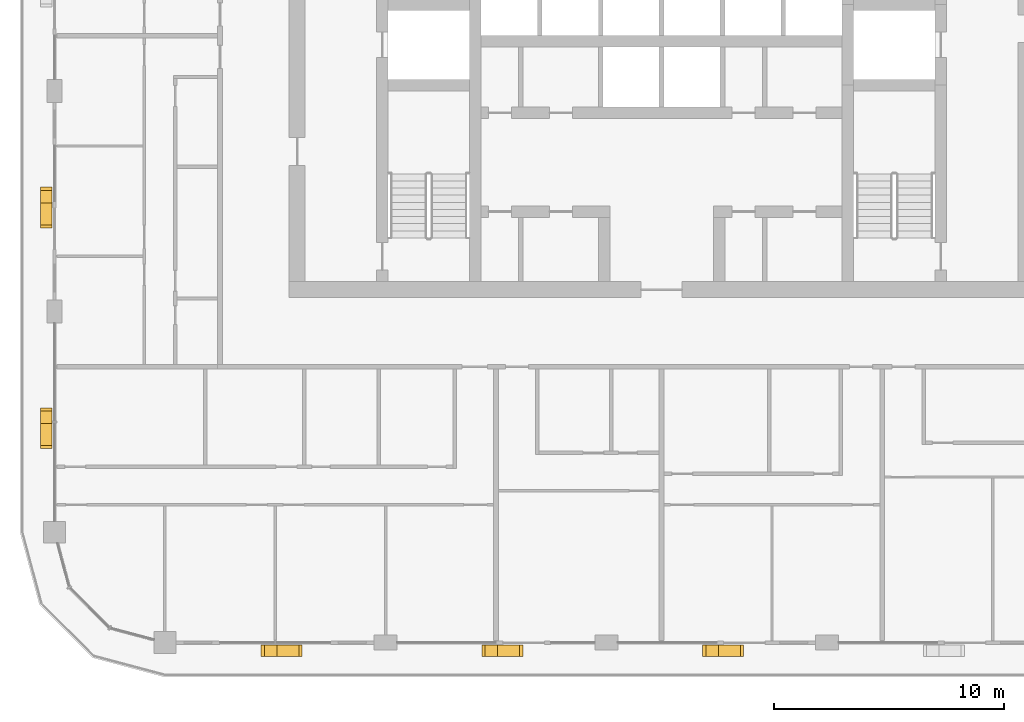
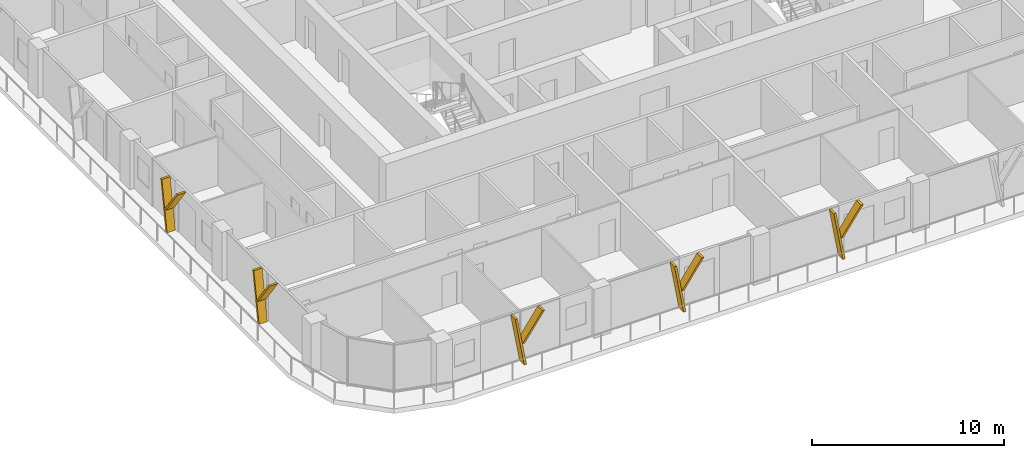
# One storey, part 17 of 22: 10 shading devices.
"""IFC4 building model written with IfcOpenShell, lengths in metres."""

from ifc_helpers import new_model, si_unit, direction, frame, origin, place, context, subcontext, project, spatial, polyline, outline, extrude, material, type_object, element, save


model = new_model("IFC4")

# Units and contexts
model_context = context("Model", 3, precision=1e-05, world=origin(), true_north=direction((0.0, 1.0)))
body_context = subcontext(model_context, "Body", "Model", "MODEL_VIEW")
ifc_project = project(units=[si_unit("LENGTHUNIT", "METRE"), si_unit("AREAUNIT", "SQUARE_METRE"), si_unit("VOLUMEUNIT", "CUBIC_METRE"), si_unit("PLANEANGLEUNIT", "RADIAN"), si_unit("MASSUNIT", "GRAM", prefix="KILO")], contexts=[model_context])

# Site, building, storey
site_placement = place(None, origin())
site = spatial("IfcSite", under=ifc_project, at=site_placement, CompositionType="ELEMENT")
building_placement = place(site_placement, origin())
building = spatial("IfcBuilding", under=site, at=building_placement, Name="Madar Terraces", CompositionType="ELEMENT")
storey_placement = place(building_placement, frame((0.0, 0.0, 199.89990234375)))
storey = spatial("IfcBuildingStorey", under=building, at=storey_placement, Name="L52", CompositionType="ELEMENT", Elevation=199.89990234375)

# Shading devices
ifc_material = material(Name="Aluminium, black anodised", Category="aluminium")
shading_device_type = type_object("IfcShadingDeviceType", Name="Facade fin blade 140 x 500", PredefinedType="USERDEFINED", material=ifc_material)
shading_device_1_placement = place(storey_placement, frame((14.330078125, -0.35009765625, 0.0), z_axis=(0.0, 0.0, 1.0), x_axis=(1.0, 0.0, 0.0)))
element("IfcShadingDevice", 1, at=shading_device_1_placement, inside=storey, type_object=shading_device_type, Name="FIN L52 S1", ObjectType="FIN", PredefinedType="USERDEFINED", context=body_context, shape_type="SweptSolid", body=[
    extrude(outline(polyline([(0.0, 0.0), (0.139892578125, 0.0), (-0.403076171875, 3.080078125), (-0.54296875, 3.080078125), (0.0, 0.0)])), frame((0.0, 0.25, 0.0), z_axis=(0.0, -1.0, 0.0), x_axis=(1.0, 0.0, 0.0)), (0.0, 0.0, 1.0), 0.5),
])
shading_device_2_placement = place(storey_placement, frame((14.2255859375, -0.35009765625, 1.385986328125), z_axis=(0.0, 0.0, 1.0), x_axis=(1.0, 0.0, 0.0)))
element("IfcShadingDevice", 2, at=shading_device_2_placement, inside=storey, type_object=shading_device_type, Name="FIN L52 S1 branch", ObjectType="FIN", PredefinedType="USERDEFINED", context=body_context, shape_type="SweptSolid", body=[
    extrude(outline(polyline([(0.0, 0.0), (0.14013671875, 0.0), (1.34130859375, 1.694091796875), (1.201416015625, 1.694091796875), (0.0, 0.0)])), frame((0.0, 0.25, 0.0), z_axis=(0.0, -1.0, 0.0), x_axis=(1.0, 0.0, 0.0)), (0.0, 0.0, 1.0), 0.5),
])
shading_device_3_placement = place(storey_placement, frame((23.929931640625, -0.35009765625, 0.0), z_axis=(0.0, 0.0, 1.0), x_axis=(1.0, 0.0, 0.0)))
element("IfcShadingDevice", 3, at=shading_device_3_placement, inside=storey, type_object=shading_device_type, Name="FIN L52 S2", ObjectType="FIN", PredefinedType="USERDEFINED", context=body_context, shape_type="SweptSolid", body=[
    extrude(outline(polyline([(0.0, 0.0), (0.14013671875, 0.0), (-0.403076171875, 3.080078125), (-0.54296875, 3.080078125), (0.0, 0.0)])), frame((0.0, 0.25, 0.0), z_axis=(0.0, -1.0, 0.0), x_axis=(1.0, 0.0, 0.0)), (0.0, 0.0, 1.0), 0.5),
])
shading_device_4_placement = place(storey_placement, frame((23.82568359375, -0.35009765625, 1.385986328125), z_axis=(0.0, 0.0, 1.0), x_axis=(1.0, 0.0, 0.0)))
element("IfcShadingDevice", 4, at=shading_device_4_placement, inside=storey, type_object=shading_device_type, Name="FIN L52 S2 branch", ObjectType="FIN", PredefinedType="USERDEFINED", context=body_context, shape_type="SweptSolid", body=[
    extrude(outline(polyline([(0.0, 0.0), (0.139892578125, 0.0), (1.34130859375, 1.694091796875), (1.201416015625, 1.694091796875), (0.0, 0.0)])), frame((0.0, 0.25, 0.0), z_axis=(0.0, -1.0, 0.0), x_axis=(1.0, 0.0, 0.0)), (0.0, 0.0, 1.0), 0.5),
])
shading_device_5_placement = place(storey_placement, frame((33.530029296875, -0.35009765625, 0.0), z_axis=(0.0, 0.0, 1.0), x_axis=(1.0, 0.0, 0.0)))
element("IfcShadingDevice", 5, at=shading_device_5_placement, inside=storey, type_object=shading_device_type, Name="FIN L52 S3", ObjectType="FIN", PredefinedType="USERDEFINED", context=body_context, shape_type="SweptSolid", body=[
    extrude(outline(polyline([(0.0, 0.0), (0.139892578125, 0.0), (-0.403076171875, 3.080078125), (-0.54296875, 3.080078125), (0.0, 0.0)])), frame((0.0, 0.25, 0.0), z_axis=(0.0, -1.0, 0.0), x_axis=(1.0, 0.0, 0.0)), (0.0, 0.0, 1.0), 0.5),
])
shading_device_6_placement = place(storey_placement, frame((33.425537109375, -0.35009765625, 1.385986328125), z_axis=(0.0, 0.0, 1.0), x_axis=(1.0, 0.0, 0.0)))
element("IfcShadingDevice", 6, at=shading_device_6_placement, inside=storey, type_object=shading_device_type, Name="FIN L52 S3 branch", ObjectType="FIN", PredefinedType="USERDEFINED", context=body_context, shape_type="SweptSolid", body=[
    extrude(outline(polyline([(0.0, 0.0), (0.14013671875, 0.0), (1.34130859375, 1.694091796875), (1.201416015625, 1.694091796875), (0.0, 0.0)])), frame((0.0, 0.25, 0.0), z_axis=(0.0, -1.0, 0.0), x_axis=(1.0, 0.0, 0.0)), (0.0, 0.0, 1.0), 0.5),
])
shading_device_7_placement = place(storey_placement, frame((4.449951171875, 19.27001953125, 0.0), z_axis=(0.0, 0.0, 1.0), x_axis=(0.0, -1.0, 0.0)))
element("IfcShadingDevice", 7, at=shading_device_7_placement, inside=storey, type_object=shading_device_type, Name="FIN L52 W3", ObjectType="FIN", PredefinedType="USERDEFINED", context=body_context, shape_type="SweptSolid", body=[
    extrude(outline(polyline([(0.0, 0.0), (0.14013671875, 0.0), (-0.403076171875, 3.080078125), (-0.54296875, 3.080078125), (0.0, 0.0)])), frame((0.0, 0.25, 0.0), z_axis=(0.0, -1.0, 0.0), x_axis=(1.0, 0.0, 0.0)), (0.0, 0.0, 1.0), 0.5),
])
shading_device_8_placement = place(storey_placement, frame((4.449951171875, 19.374267578125, 1.385986328125), z_axis=(0.0, 0.0, 1.0), x_axis=(0.0, -1.0, 0.0)))
element("IfcShadingDevice", 8, at=shading_device_8_placement, inside=storey, type_object=shading_device_type, Name="FIN L52 W3 branch", ObjectType="FIN", PredefinedType="USERDEFINED", context=body_context, shape_type="SweptSolid", body=[
    extrude(outline(polyline([(0.0, 0.0), (0.139892578125, 0.0), (1.34130859375, 1.694091796875), (1.201416015625, 1.694091796875), (0.0, 0.0)])), frame((0.0, 0.25, 0.0), z_axis=(0.0, -1.0, 0.0), x_axis=(1.0, 0.0, 0.0)), (0.0, 0.0, 1.0), 0.5),
])
shading_device_9_placement = place(storey_placement, frame((4.449951171875, 9.669921875, 0.0), z_axis=(0.0, 0.0, 1.0), x_axis=(0.0, -1.0, 0.0)))
element("IfcShadingDevice", 9, at=shading_device_9_placement, inside=storey, type_object=shading_device_type, Name="FIN L52 W4", ObjectType="FIN", PredefinedType="USERDEFINED", context=body_context, shape_type="SweptSolid", body=[
    extrude(outline(polyline([(0.0, 0.0), (0.139892578125, 0.0), (-0.403076171875, 3.080078125), (-0.54296875, 3.080078125), (0.0, 0.0)])), frame((0.0, 0.25, 0.0), z_axis=(0.0, -1.0, 0.0), x_axis=(1.0, 0.0, 0.0)), (0.0, 0.0, 1.0), 0.5),
])
shading_device_10_placement = place(storey_placement, frame((4.449951171875, 9.7744140625, 1.385986328125), z_axis=(0.0, 0.0, 1.0), x_axis=(0.0, -1.0, 0.0)))
element("IfcShadingDevice", 10, at=shading_device_10_placement, inside=storey, type_object=shading_device_type, Name="FIN L52 W4 branch", ObjectType="FIN", PredefinedType="USERDEFINED", context=body_context, shape_type="SweptSolid", body=[
    extrude(outline(polyline([(0.0, 0.0), (0.14013671875, 0.0), (1.34130859375, 1.694091796875), (1.201416015625, 1.694091796875), (0.0, 0.0)])), frame((0.0, 0.25, 0.0), z_axis=(0.0, -1.0, 0.0), x_axis=(1.0, 0.0, 0.0)), (0.0, 0.0, 1.0), 0.5),
])

save(model, "model.ifc")
